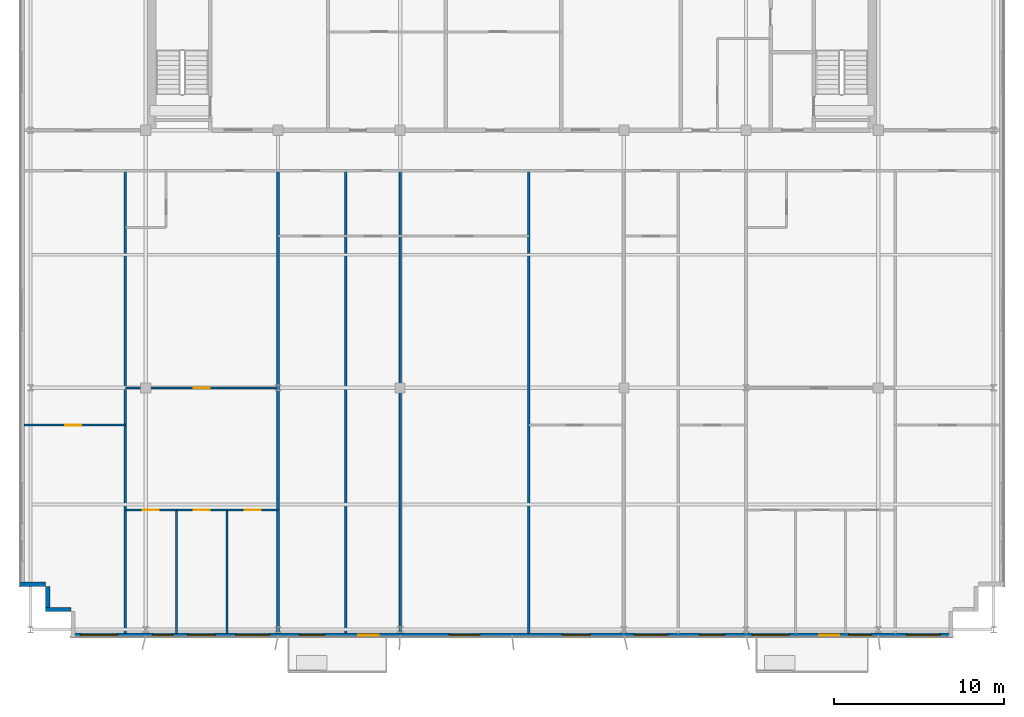
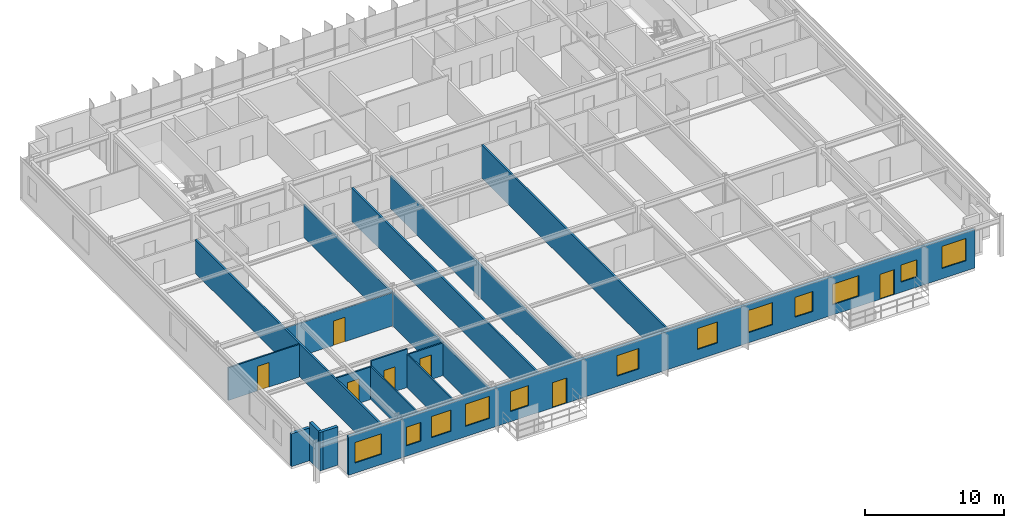
# One storey, part 16 of 22: 16 walls, 12 windows, 7 doors, 19 openings.
"""IFC4 building model written with IfcOpenShell, lengths in metres."""

import ifcopenshell
import ifcopenshell.guid

model = None  # the IFC model being written
_history = None  # IfcOwnerHistory: only IFC2X3 demands one
_inside = {}  # id of a spatial element -> (the spatial element, [elements in it])
_under = {}  # id of a project, library or spatial element -> (it, [spatial elements below it])
_declared = {}  # id of a project -> (the project, [libraries it declares])
_typed = {}  # id of a type object -> (the type object, [elements of that type])
_made_of = {}  # id of a material, layer set ... -> (it, [elements and type objects made of it])


def new_model(schema):
    """Start an empty IFC model of exactly this schema.

    Asked for "IFC4X3", IfcOpenShell would pick the latest addendum, in which some entities
    have other attributes; the version numbers below select the first issue.
    IFC2X3 requires an IfcOwnerHistory on every rooted entity: one is made here for all.
    """
    global model, _history
    if schema == "IFC4X3":
        model = ifcopenshell.file(schema_version=(4, 3, 0, 0))
    else:
        model = ifcopenshell.file(schema=schema)
    _inside.clear()
    _under.clear()
    _declared.clear()
    _typed.clear()
    _made_of.clear()
    _history = None
    if model.schema == "IFC2X3":
        org = make("IfcOrganization", Name="unknown")
        user = make(
            "IfcPersonAndOrganization",
            ThePerson=make("IfcPerson", FamilyName="unknown"),
            TheOrganization=org,
        )
        app = make(
            "IfcApplication",
            ApplicationDeveloper=org,
            Version="unknown",
            ApplicationFullName="unknown",
            ApplicationIdentifier="unknown",
        )
        _history = make(
            "IfcOwnerHistory",
            OwningUser=user,
            OwningApplication=app,
            ChangeAction="ADDED",
            CreationDate=0,
        )
    return model


def make(cls, **values):
    """One entity of the class cls with the attributes given. An attribute that is None is left unset."""
    return model.create_entity(
        cls, **{name: value for name, value in values.items() if value is not None}
    )


def rooted(cls, **values):
    """An entity with a GlobalId (a new one), such as an element, a storey or a relation."""
    return make(cls, GlobalId=ifcopenshell.guid.new(), OwnerHistory=_history, **values)


def si_unit(unit_type, name, prefix=None):
    """IfcSIUnit, for example si_unit("LENGTHUNIT", "METRE", prefix="MILLI")."""
    return make("IfcSIUnit", UnitType=unit_type, Prefix=prefix, Name=name)


def assignment(units):
    """IfcUnitAssignment: the units of a project."""
    return None if units is None else make("IfcUnitAssignment", Units=units)


def point(xyz):
    """IfcCartesianPoint."""
    return None if xyz is None else make("IfcCartesianPoint", Coordinates=xyz)


def direction(xyz):
    """IfcDirection."""
    return None if xyz is None else make("IfcDirection", DirectionRatios=xyz)


def frame(location, z_axis=None, x_axis=None):
    """IfcAxis2Placement3D, a coordinate frame: its origin and axes. An axis left out is left unset."""
    return make(
        "IfcAxis2Placement3D",
        Location=point(location),
        Axis=direction(z_axis),
        RefDirection=direction(x_axis),
    )


def frame_2d(location, x_axis=None):
    """IfcAxis2Placement2D, a coordinate frame in the plane: its origin and x axis."""
    return make(
        "IfcAxis2Placement2D", Location=point(location), RefDirection=direction(x_axis)
    )


def origin():
    """The frame at (0, 0, 0) with its axes left unset."""
    return frame((0.0, 0.0, 0.0))


def place(relative_to, where):
    """IfcLocalPlacement: puts the frame where relative to a parent placement (None: the world)."""
    return make(
        "IfcLocalPlacement", PlacementRelTo=relative_to, RelativePlacement=where
    )


def context(
    kind, dimensions, precision=None, world=None, true_north=None, identifier=None
):
    """IfcGeometricRepresentationContext, for example the 3D "Model" context."""
    return make(
        "IfcGeometricRepresentationContext",
        ContextIdentifier=identifier,
        ContextType=kind,
        CoordinateSpaceDimension=dimensions,
        Precision=precision,
        WorldCoordinateSystem=world,
        TrueNorth=true_north,
    )


def subcontext(parent, identifier, kind, view, scale=None):
    """IfcGeometricRepresentationSubContext, for example "Body" below "Model"."""
    return make(
        "IfcGeometricRepresentationSubContext",
        ContextIdentifier=identifier,
        ContextType=kind,
        ParentContext=parent,
        TargetScale=scale,
        TargetView=view,
    )


def project(units=None, contexts=None):
    """IfcProject with its units and contexts."""
    return rooted(
        "IfcProject",
        Name="project",
        RepresentationContexts=contexts,
        UnitsInContext=assignment(units),
    )


def spatial(cls, under=None, at=None, **own):
    """A site, building, storey or space (cls), placed at a placement, below another one or the project."""
    s = rooted(cls, ObjectPlacement=at, **own)
    if under is not None:
        _under.setdefault(under.id(), (under, []))[1].append(s)
    return s


def profile(cls, at=None, kind="AREA", **sizes):
    """A parametric profile (cls). Its sizes go by their IFC names, for example OverallWidth=200.0."""
    return make(cls, ProfileType=kind, Position=at, **sizes)


def rectangle(**sizes):
    """IfcRectangleProfileDef."""
    return profile("IfcRectangleProfileDef", **sizes)


def extrude(swept, where, along, depth):
    """IfcExtrudedAreaSolid: the profile swept, set in the frame where, extruded along a direction by depth."""
    return make(
        "IfcExtrudedAreaSolid",
        SweptArea=swept,
        Position=where,
        ExtrudedDirection=direction(along),
        Depth=depth,
    )


def shape(context_of_items, identifier, shape_type, items):
    """IfcShapeRepresentation: the items that make up one representation, for example the "Body"."""
    return make(
        "IfcShapeRepresentation",
        ContextOfItems=context_of_items,
        RepresentationIdentifier=identifier,
        RepresentationType=shape_type,
        Items=items,
    )


def source(mapping_origin, context_of_items, identifier, shape_type, items):
    """IfcRepresentationMap: a shape defined once, which mapped items show again and again."""
    return make(
        "IfcRepresentationMap",
        MappingOrigin=mapping_origin,
        MappedRepresentation=shape(context_of_items, identifier, shape_type, items),
    )


def transform(
    local_origin,
    x_axis=None,
    y_axis=None,
    z_axis=None,
    scale=None,
    scale2=None,
    scale3=None,
    uniform=True,
):
    """IfcCartesianTransformationOperator3D, or its non-uniform kind. x_axis, y_axis, z_axis: its Axis1, 2, 3."""
    if uniform:
        return make(
            "IfcCartesianTransformationOperator3D",
            Axis1=direction(x_axis),
            Axis2=direction(y_axis),
            LocalOrigin=point(local_origin),
            Scale=scale,
            Axis3=direction(z_axis),
        )
    return make(
        "IfcCartesianTransformationOperator3DnonUniform",
        Axis1=direction(x_axis),
        Axis2=direction(y_axis),
        LocalOrigin=point(local_origin),
        Scale=scale,
        Axis3=direction(z_axis),
        Scale2=scale2,
        Scale3=scale3,
    )


def mapped(mapping_source, mapping_target):
    """IfcMappedItem: shows the shape of a source again, moved by a transform."""
    return make(
        "IfcMappedItem", MappingSource=mapping_source, MappingTarget=mapping_target
    )


def material(Name=None, Category=None):
    """IfcMaterial."""
    return make("IfcMaterial", Name=Name, Category=Category)


def layer(
    of_material, thickness, ventilated=None, Name=None, Category=None, Priority=None
):
    """IfcMaterialLayer: one layer of a wall or slab, of a material (None: an air gap)."""
    return make(
        "IfcMaterialLayer",
        Material=of_material,
        LayerThickness=thickness,
        IsVentilated=ventilated,
        Name=Name,
        Category=Category,
        Priority=Priority,
    )


def layer_set(layers, Name=None):
    """IfcMaterialLayerSet."""
    return make("IfcMaterialLayerSet", MaterialLayers=layers, LayerSetName=Name)


def made_of(thing, what):
    """Note that an element or type object is made of a material, layer set ...; save() writes the relation."""
    if what is not None:
        _made_of.setdefault(what.id(), (what, []))[1].append(thing)
    return thing


def type_object(cls, material=None, **own):
    """A type object (cls), such as IfcWallType, which elements share."""
    return made_of(rooted(cls, **own), material)


def element(
    cls,
    number,
    at=None,
    inside=None,
    cuts=None,
    type_object=None,
    material=None,
    context=None,
    identifier="Body",
    shape_type=None,
    held_by="IfcProductDefinitionShape",
    body=None,
    shapes=None,
    **own,
):
    """One element of the class cls, such as IfcWall. Its Tag is "e" and its number.

    at: its placement. inside: the storey or other place that contains it. cuts: it is an
    opening in that element (IfcRelVoidsElement). A single representation is given by context,
    identifier, shape_type and body (its items); several are given by shapes. held_by: the class
    of the entity that holds the representations. save() writes the other relations.
    """
    e = rooted(cls, Tag="e%d" % number, ObjectPlacement=at, **own)
    if body is not None:
        shapes = [shape(context, identifier, shape_type, body)]
    if shapes is not None:
        e.Representation = make(held_by, Representations=shapes)
    if inside is not None:
        _inside.setdefault(inside.id(), (inside, []))[1].append(e)
    if cuts is not None:
        rooted(
            "IfcRelVoidsElement", RelatingBuildingElement=cuts, RelatedOpeningElement=e
        )
    if type_object is not None:
        _typed.setdefault(type_object.id(), (type_object, []))[1].append(e)
    return made_of(e, material)


def fill(opening, filler):
    """IfcRelFillsElement: the door or window that sits in an opening."""
    return rooted(
        "IfcRelFillsElement",
        RelatingOpeningElement=opening,
        RelatedBuildingElement=filler,
    )


def aggregate(whole, parts):
    """IfcRelAggregates: a whole, such as a stair, and the parts it consists of."""
    return rooted("IfcRelAggregates", RelatingObject=whole, RelatedObjects=parts)


def save(model, path):
    """Write the relations noted so far, then the file.

    IfcRelAggregates (storeys below a building ...), IfcRelContainedInSpatialStructure (elements
    in a storey), IfcRelDefinesByType, IfcRelAssociatesMaterial and IfcRelDeclares: one each for
    every whole, place, type object, material and project.
    """
    for whole, parts in _under.values():
        aggregate(whole, parts)
    for where, things in _inside.values():
        rooted(
            "IfcRelContainedInSpatialStructure",
            RelatedElements=things,
            RelatingStructure=where,
        )
    for kind, things in _typed.values():
        rooted("IfcRelDefinesByType", RelatedObjects=things, RelatingType=kind)
    for what, things in _made_of.values():
        rooted("IfcRelAssociatesMaterial", RelatedObjects=things, RelatingMaterial=what)
    for by, libraries in _declared.values():
        rooted("IfcRelDeclares", RelatingContext=by, RelatedDefinitions=libraries)
    model.write(path)


model = new_model("IFC4")

# Units and contexts
model_context = context("Model", 3, precision=1e-05, world=origin(), true_north=direction((0.0, 1.0)))
body_context = subcontext(model_context, "Body", "Model", "MODEL_VIEW")
ifc_project = project(units=[si_unit("LENGTHUNIT", "METRE"), si_unit("AREAUNIT", "SQUARE_METRE"), si_unit("VOLUMEUNIT", "CUBIC_METRE"), si_unit("PLANEANGLEUNIT", "RADIAN"), si_unit("MASSUNIT", "GRAM", prefix="KILO")], contexts=[model_context])

# Site, building, storey
site_placement = place(None, origin())
site = spatial("IfcSite", under=ifc_project, at=site_placement, CompositionType="ELEMENT")
building_placement = place(site_placement, origin())
building = spatial("IfcBuilding", under=site, at=building_placement, Name="Trelvane Seafront Commons", CompositionType="ELEMENT")
storey_placement = place(building_placement, frame((0.0, 0.0, 281.10009765625)))
storey = spatial("IfcBuildingStorey", under=building, at=storey_placement, Name="L73", CompositionType="ELEMENT", Elevation=281.10009765625)

# Walls
ifc_material_1 = material(Name="Precast concrete C40/50", Category="concrete")
ifc_layer_1 = layer(ifc_material_1, 0.239990234375, Name="ARCH-WALL-EXT240")
ifc_layer_set_1 = layer_set([ifc_layer_1], Name="Precast concrete C40/50")
wall_type_1 = type_object("IfcWallType", Name="ARCH-WALL-EXT240", PredefinedType="SOLIDWALL", material=ifc_layer_set_1)
for number, where, z_axis, x_axis, name in (
    (1, (11.199951171875, 5.1201171875, 0.0), (0.0, 0.0, 1.0), (-1.0, 0.0, 0.0), "EW-L73-01468"),
    (2, (9.820068359375, 5.0, 0.0), (0.0, 0.0, 1.0), (0.0, 1.0, 0.0), "EW-L73-01469"),
):
    element("IfcWall", number, at=place(storey_placement, frame(where, z_axis=z_axis, x_axis=x_axis)), inside=storey, type_object=wall_type_1, Name=name, PredefinedType="SOLIDWALL", context=body_context, shape_type="SweptSolid", body=[
        extrude(rectangle(XDim=1.5, YDim=0.239990234375, at=frame_2d((0.75, 0.0))), origin(), (0.0, 0.0, 1.0), 3.369873046875),
    ])
wall_1_placement = place(storey_placement, frame((9.699951171875, 6.6201171875, 0.0), z_axis=(0.0, 0.0, 1.0), x_axis=(-1.0, 0.0, 0.0)))
element("IfcWall", 3, at=wall_1_placement, inside=storey, type_object=wall_type_1, Name="EW-L73-01470", PredefinedType="SOLIDWALL", context=body_context, shape_type="SweptSolid", body=[
    extrude(rectangle(XDim=1.5, YDim=0.239990234375, at=frame_2d((0.75, 0.0))), origin(), (0.0, 0.0, 1.0), 2.869873046875),
])

# Wall, openings, windows, doors
wall_2_placement = place(storey_placement, frame((63.199951171875, 3.6201171875, 0.0), z_axis=(0.0, 0.0, 1.0), x_axis=(-1.0, 0.0, 0.0)))
wall_2 = element("IfcWall", 4, at=wall_2_placement, inside=storey, type_object=wall_type_1, Name="EW-L73-01485", PredefinedType="SOLIDWALL", context=body_context, shape_type="SweptSolid", body=[
    extrude(rectangle(XDim=52.0, YDim=0.239990234375, at=frame_2d((26.0, 0.0))), origin(), (0.0, 0.0, 1.0), 3.369873046875),
])
opening_1_placement = place(wall_2_placement, frame((0.7451171875, 0.0, 0.89990234375)))
opening_1 = element("IfcOpeningElement", 5, at=opening_1_placement, cuts=wall_2, Name="Opening W06", PredefinedType="OPENING", context=body_context, shape_type="SweptSolid", body=[
    extrude(rectangle(XDim=2.0, YDim=1.949951171875, at=frame_2d((1.0, 0.97509765625))), frame((0.0, 0.1298828125, 0.0), z_axis=(0.0, -1.0, 0.0), x_axis=(1.0, 0.0, 0.0)), (0.0, 0.0, 1.0), 0.260009765625),
])
opening_2_placement = place(wall_2_placement, frame((4.79296875, 0.0, 0.89990234375)))
opening_2 = element("IfcOpeningElement", 6, at=opening_2_placement, cuts=wall_2, Name="Opening W09", PredefinedType="OPENING", context=body_context, shape_type="SweptSolid", body=[
    extrude(rectangle(XDim=1.35009765625, YDim=1.5, at=frame_2d((0.675048828125, 0.75))), frame((0.0, 0.1298828125, 0.0), z_axis=(0.0, -1.0, 0.0), x_axis=(1.0, 0.0, 0.0)), (0.0, 0.0, 1.0), 0.260009765625),
])
opening_3_placement = place(wall_2_placement, frame((6.68505859375, 0.0, 0.0)))
opening_3 = element("IfcOpeningElement", 7, at=opening_3_placement, cuts=wall_2, Name="Opening BD-L73-148", PredefinedType="OPENING", context=body_context, shape_type="SweptSolid", body=[
    extrude(rectangle(XDim=1.199951171875, YDim=2.199951171875, at=frame_2d((0.60009765625, 1.10009765625))), frame((0.0, 0.1298828125, 0.0), z_axis=(0.0, -1.0, 0.0), x_axis=(1.0, 0.0, 0.0)), (0.0, 0.0, 1.0), 0.260009765625),
])
opening_4_placement = place(wall_2_placement, frame((9.634033203125, 0.0, 0.89990234375)))
opening_4 = element("IfcOpeningElement", 8, at=opening_4_placement, cuts=wall_2, Name="Opening W02", PredefinedType="OPENING", context=body_context, shape_type="SweptSolid", body=[
    extrude(rectangle(XDim=2.199951171875, YDim=1.800048828125, at=frame_2d((1.10009765625, 0.89990234375))), frame((0.0, 0.1298828125, 0.0), z_axis=(0.0, -1.0, 0.0), x_axis=(1.0, 0.0, 0.0)), (0.0, 0.0, 1.0), 0.260009765625),
])
opening_5_placement = place(wall_2_placement, frame((13.449951171875, 0.0, 0.89990234375)))
opening_5 = element("IfcOpeningElement", 9, at=opening_5_placement, cuts=wall_2, Name="Opening W03", PredefinedType="OPENING", context=body_context, shape_type="SweptSolid", body=[
    extrude(rectangle(XDim=1.5, YDim=1.75, at=frame_2d((0.75, 0.875))), frame((0.0, 0.1298828125, 0.0), z_axis=(0.0, -1.0, 0.0), x_axis=(1.0, 0.0, 0.0)), (0.0, 0.0, 1.0), 0.260009765625),
])
opening_6_placement = place(wall_2_placement, frame((16.800048828125, 0.0, 0.89990234375)))
opening_6 = element("IfcOpeningElement", 10, at=opening_6_placement, cuts=wall_2, Name="Opening W06", PredefinedType="OPENING", context=body_context, shape_type="SweptSolid", body=[
    extrude(rectangle(XDim=2.0, YDim=1.949951171875, at=frame_2d((1.0, 0.97509765625))), frame((0.0, 0.1298828125, 0.0), z_axis=(0.0, -1.0, 0.0), x_axis=(1.0, 0.0, 0.0)), (0.0, 0.0, 1.0), 0.260009765625),
])
opening_7_placement = place(wall_2_placement, frame((21.375, 0.0, 0.89990234375)))
opening_7 = element("IfcOpeningElement", 11, at=opening_7_placement, cuts=wall_2, Name="Opening W07", PredefinedType="OPENING", context=body_context, shape_type="SweptSolid", body=[
    extrude(rectangle(XDim=1.64990234375, YDim=1.85009765625, at=frame_2d((0.824951171875, 0.925048828125))), frame((0.0, 0.1298828125, 0.0), z_axis=(0.0, -1.0, 0.0), x_axis=(1.0, 0.0, 0.0)), (0.0, 0.0, 1.0), 0.260009765625),
])
opening_8_placement = place(wall_2_placement, frame((27.89990234375, 0.0, 0.89990234375)))
opening_8 = element("IfcOpeningElement", 12, at=opening_8_placement, cuts=wall_2, Name="Opening W01", PredefinedType="OPENING", context=body_context, shape_type="SweptSolid", body=[
    extrude(rectangle(XDim=1.800048828125, YDim=1.800048828125, at=frame_2d((0.89990234375, 0.89990234375))), frame((0.0, 0.1298828125, 0.0), z_axis=(0.0, -1.0, 0.0), x_axis=(1.0, 0.0, 0.0)), (0.0, 0.0, 1.0), 0.260009765625),
])
opening_9_placement = place(wall_2_placement, frame((33.873046875, 0.0, 0.0)))
opening_9 = element("IfcOpeningElement", 13, at=opening_9_placement, cuts=wall_2, Name="Opening BD-L73-149", PredefinedType="OPENING", context=body_context, shape_type="SweptSolid", body=[
    extrude(rectangle(XDim=1.199951171875, YDim=2.199951171875, at=frame_2d((0.60009765625, 1.10009765625))), frame((0.0, 0.1298828125, 0.0), z_axis=(0.0, -1.0, 0.0), x_axis=(1.0, 0.0, 0.0)), (0.0, 0.0, 1.0), 0.260009765625),
])
opening_10_placement = place(wall_2_placement, frame((37.050048828125, 0.0, 0.89990234375)))
opening_10 = element("IfcOpeningElement", 14, at=opening_10_placement, cuts=wall_2, Name="Opening W03", PredefinedType="OPENING", context=body_context, shape_type="SweptSolid", body=[
    extrude(rectangle(XDim=1.5, YDim=1.75, at=frame_2d((0.75, 0.875))), frame((0.0, 0.1298828125, 0.0), z_axis=(0.0, -1.0, 0.0), x_axis=(1.0, 0.0, 0.0)), (0.0, 0.0, 1.0), 0.260009765625),
])
opening_11_placement = place(wall_2_placement, frame((40.300048828125, 0.0, 0.89990234375)))
opening_11 = element("IfcOpeningElement", 15, at=opening_11_placement, cuts=wall_2, Name="Opening W06", PredefinedType="OPENING", context=body_context, shape_type="SweptSolid", body=[
    extrude(rectangle(XDim=2.0, YDim=1.949951171875, at=frame_2d((1.0, 0.97509765625))), frame((0.0, 0.1298828125, 0.0), z_axis=(0.0, -1.0, 0.0), x_axis=(1.0, 0.0, 0.0)), (0.0, 0.0, 1.0), 0.260009765625),
])
opening_12_placement = place(wall_2_placement, frame((43.47509765625, 0.0, 0.89990234375)))
opening_12 = element("IfcOpeningElement", 16, at=opening_12_placement, cuts=wall_2, Name="Opening W07", PredefinedType="OPENING", context=body_context, shape_type="SweptSolid", body=[
    extrude(rectangle(XDim=1.64990234375, YDim=1.85009765625, at=frame_2d((0.824951171875, 0.925048828125))), frame((0.0, 0.1298828125, 0.0), z_axis=(0.0, -1.0, 0.0), x_axis=(1.0, 0.0, 0.0)), (0.0, 0.0, 1.0), 0.260009765625),
])
opening_13_placement = place(wall_2_placement, frame((45.989990234375, 0.0, 0.89990234375)))
opening_13 = element("IfcOpeningElement", 17, at=opening_13_placement, cuts=wall_2, Name="Opening W05", PredefinedType="OPENING", context=body_context, shape_type="SweptSolid", body=[
    extrude(rectangle(XDim=1.199951171875, YDim=1.64990234375, at=frame_2d((0.60009765625, 0.824951171875))), frame((0.0, 0.1298828125, 0.0), z_axis=(0.0, -1.0, 0.0), x_axis=(1.0, 0.0, 0.0)), (0.0, 0.0, 1.0), 0.260009765625),
])
opening_14_placement = place(wall_2_placement, frame((49.2548828125, 0.0, 0.89990234375)))
opening_14 = element("IfcOpeningElement", 18, at=opening_14_placement, cuts=wall_2, Name="Opening W02", PredefinedType="OPENING", context=body_context, shape_type="SweptSolid", body=[
    extrude(rectangle(XDim=2.199951171875, YDim=1.800048828125, at=frame_2d((1.10009765625, 0.89990234375))), frame((0.0, 0.1298828125, 0.0), z_axis=(0.0, -1.0, 0.0), x_axis=(1.0, 0.0, 0.0)), (0.0, 0.0, 1.0), 0.260009765625),
])
ifc_material_2 = material(Name="Low-E coastal double glazing", Category="glass")
window_type_1 = type_object("IfcWindowType", Name="ARCH-WIN-W09", PartitioningType="SINGLE_PANEL", PredefinedType="WINDOW", material=ifc_material_2)
shared_shape_1 = source(origin(), body_context, "Body", "SweptSolid", [
    extrude(rectangle(XDim=1.35009765625, YDim=1.5, at=frame_2d((0.675048828125, 0.75))), frame((0.0, 0.030029296875, 0.0), z_axis=(0.0, -1.0, 0.0), x_axis=(1.0, 0.0, 0.0)), (0.0, 0.0, 1.0), 0.06005859375),
])
window_1_placement = place(opening_2_placement, origin())
window_1 = element("IfcWindow", 19, at=window_1_placement, inside=storey, type_object=window_type_1, Name="WIN-L73-01760", OverallHeight=1.5, OverallWidth=1.35009765625, PartitioningType="SINGLE_PANEL", PredefinedType="WINDOW", context=body_context, shape_type="MappedRepresentation", body=[
    mapped(shared_shape_1, transform((0.0, 0.0, 0.0), x_axis=(1.0, 0.0, 0.0), y_axis=(0.0, 1.0, 0.0), z_axis=(0.0, 0.0, 1.0), scale=1.0)),
])
fill(opening_2, window_1)
window_type_2 = type_object("IfcWindowType", Name="ARCH-WIN-W05", PartitioningType="SINGLE_PANEL", PredefinedType="WINDOW", material=ifc_material_2)
shared_shape_2 = source(origin(), body_context, "Body", "SweptSolid", [
    extrude(rectangle(XDim=1.199951171875, YDim=1.64990234375, at=frame_2d((0.60009765625, 0.824951171875))), frame((0.0, 0.030029296875, 0.0), z_axis=(0.0, -1.0, 0.0), x_axis=(1.0, 0.0, 0.0)), (0.0, 0.0, 1.0), 0.06005859375),
])
window_2_placement = place(opening_13_placement, origin())
window_2 = element("IfcWindow", 20, at=window_2_placement, inside=storey, type_object=window_type_2, Name="WIN-L73-01769", OverallHeight=1.64990234375, OverallWidth=1.199951171875, PartitioningType="SINGLE_PANEL", PredefinedType="WINDOW", context=body_context, shape_type="MappedRepresentation", body=[
    mapped(shared_shape_2, transform((0.0, 0.0, 0.0), x_axis=(1.0, 0.0, 0.0), y_axis=(0.0, 1.0, 0.0), z_axis=(0.0, 0.0, 1.0), scale=1.0)),
])
fill(opening_13, window_2)
ifc_material_3 = material(Name="Powder-coated aluminium frame", Category="aluminium")
door_type_1 = type_object("IfcDoorType", Name="ARCH-DR-BAL1200", OperationType="NOTDEFINED", PredefinedType="DOOR", material=ifc_material_3)
shared_shape_3 = source(origin(), body_context, "Body", "SweptSolid", [
    extrude(rectangle(XDim=1.199951171875, YDim=2.199951171875, at=frame_2d((0.60009765625, 1.10009765625))), frame((0.0, 0.02490234375, 0.0), z_axis=(0.0, -1.0, 0.0), x_axis=(1.0, 0.0, 0.0)), (0.0, 0.0, 1.0), 0.050048828125),
])
door_1_placement = place(opening_3_placement, origin())
door_1 = element("IfcDoor", 21, at=door_1_placement, inside=storey, type_object=door_type_1, Name="L73 Balcony Terrace Access Door", OperationType="SINGLE_SWING_LEFT", OverallHeight=2.199951171875, OverallWidth=1.199951171875, PredefinedType="DOOR", context=body_context, shape_type="MappedRepresentation", body=[
    mapped(shared_shape_3, transform((0.0, 0.0, 0.0), x_axis=(1.0, 0.0, 0.0), y_axis=(0.0, 1.0, 0.0), z_axis=(0.0, 0.0, 1.0), scale=1.0)),
])
fill(opening_3, door_1)
door_2_placement = place(opening_9_placement, origin())
door_2 = element("IfcDoor", 22, at=door_2_placement, inside=storey, type_object=door_type_1, Name="L73 Balcony Terrace Access Door", OperationType="SINGLE_SWING_LEFT", OverallHeight=2.199951171875, OverallWidth=1.199951171875, PredefinedType="DOOR", context=body_context, shape_type="MappedRepresentation", body=[
    mapped(shared_shape_3, transform((0.0, 0.0, 0.0), x_axis=(1.0, 0.0, 0.0), y_axis=(0.0, 1.0, 0.0), z_axis=(0.0, 0.0, 1.0), scale=1.0)),
])
fill(opening_9, door_2)
window_type_3 = type_object("IfcWindowType", Name="ARCH-WIN-W02", PartitioningType="SINGLE_PANEL", PredefinedType="WINDOW", material=ifc_material_2)
shared_shape_4 = source(origin(), body_context, "Body", "SweptSolid", [
    extrude(rectangle(XDim=2.199951171875, YDim=1.800048828125, at=frame_2d((1.10009765625, 0.89990234375))), frame((0.0, 0.030029296875, 0.0), z_axis=(0.0, -1.0, 0.0), x_axis=(1.0, 0.0, 0.0)), (0.0, 0.0, 1.0), 0.06005859375),
])
window_3_placement = place(opening_4_placement, origin())
window_3 = element("IfcWindow", 23, at=window_3_placement, inside=storey, type_object=window_type_3, Name="WIN-L73-01761", OverallHeight=1.800048828125, OverallWidth=2.199951171875, PartitioningType="SINGLE_PANEL", PredefinedType="WINDOW", context=body_context, shape_type="MappedRepresentation", body=[
    mapped(shared_shape_4, transform((0.0, 0.0, 0.0), x_axis=(1.0, 0.0, 0.0), y_axis=(0.0, 1.0, 0.0), z_axis=(0.0, 0.0, 1.0), scale=1.0)),
])
fill(opening_4, window_3)
window_4_placement = place(opening_14_placement, origin())
window_4 = element("IfcWindow", 24, at=window_4_placement, inside=storey, type_object=window_type_3, Name="WIN-L73-01770", OverallHeight=1.800048828125, OverallWidth=2.199951171875, PartitioningType="SINGLE_PANEL", PredefinedType="WINDOW", context=body_context, shape_type="MappedRepresentation", body=[
    mapped(shared_shape_4, transform((0.0, 0.0, 0.0), x_axis=(1.0, 0.0, 0.0), y_axis=(0.0, 1.0, 0.0), z_axis=(0.0, 0.0, 1.0), scale=1.0)),
])
fill(opening_14, window_4)
window_type_4 = type_object("IfcWindowType", Name="ARCH-WIN-W03", PartitioningType="SINGLE_PANEL", PredefinedType="WINDOW", material=ifc_material_2)
shared_shape_5 = source(origin(), body_context, "Body", "SweptSolid", [
    extrude(rectangle(XDim=1.5, YDim=1.75, at=frame_2d((0.75, 0.875))), frame((0.0, 0.030029296875, 0.0), z_axis=(0.0, -1.0, 0.0), x_axis=(1.0, 0.0, 0.0)), (0.0, 0.0, 1.0), 0.06005859375),
])
window_5_placement = place(opening_5_placement, origin())
window_5 = element("IfcWindow", 25, at=window_5_placement, inside=storey, type_object=window_type_4, Name="WIN-L73-01762", OverallHeight=1.75, OverallWidth=1.5, PartitioningType="SINGLE_PANEL", PredefinedType="WINDOW", context=body_context, shape_type="MappedRepresentation", body=[
    mapped(shared_shape_5, transform((0.0, 0.0, 0.0), x_axis=(1.0, 0.0, 0.0), y_axis=(0.0, 1.0, 0.0), z_axis=(0.0, 0.0, 1.0), scale=1.0)),
])
fill(opening_5, window_5)
window_6_placement = place(opening_10_placement, origin())
window_6 = element("IfcWindow", 26, at=window_6_placement, inside=storey, type_object=window_type_4, Name="WIN-L73-01766", OverallHeight=1.75, OverallWidth=1.5, PartitioningType="SINGLE_PANEL", PredefinedType="WINDOW", context=body_context, shape_type="MappedRepresentation", body=[
    mapped(shared_shape_5, transform((0.0, 0.0, 0.0), x_axis=(1.0, 0.0, 0.0), y_axis=(0.0, 1.0, 0.0), z_axis=(0.0, 0.0, 1.0), scale=1.0)),
])
fill(opening_10, window_6)
window_type_5 = type_object("IfcWindowType", Name="ARCH-WIN-W06", PartitioningType="SINGLE_PANEL", PredefinedType="WINDOW", material=ifc_material_2)
shared_shape_6 = source(origin(), body_context, "Body", "SweptSolid", [
    extrude(rectangle(XDim=2.0, YDim=1.949951171875, at=frame_2d((1.0, 0.97509765625))), frame((0.0, 0.030029296875, 0.0), z_axis=(0.0, -1.0, 0.0), x_axis=(1.0, 0.0, 0.0)), (0.0, 0.0, 1.0), 0.06005859375),
])
window_7_placement = place(opening_1_placement, origin())
window_7 = element("IfcWindow", 27, at=window_7_placement, inside=storey, type_object=window_type_5, Name="WIN-L73-01759", OverallHeight=1.949951171875, OverallWidth=2.0, PartitioningType="SINGLE_PANEL", PredefinedType="WINDOW", context=body_context, shape_type="MappedRepresentation", body=[
    mapped(shared_shape_6, transform((0.0, 0.0, 0.0), x_axis=(1.0, 0.0, 0.0), y_axis=(0.0, 1.0, 0.0), z_axis=(0.0, 0.0, 1.0), scale=1.0)),
])
fill(opening_1, window_7)
window_8_placement = place(opening_6_placement, origin())
window_8 = element("IfcWindow", 28, at=window_8_placement, inside=storey, type_object=window_type_5, Name="WIN-L73-01763", OverallHeight=1.949951171875, OverallWidth=2.0, PartitioningType="SINGLE_PANEL", PredefinedType="WINDOW", context=body_context, shape_type="MappedRepresentation", body=[
    mapped(shared_shape_6, transform((0.0, 0.0, 0.0), x_axis=(1.0, 0.0, 0.0), y_axis=(0.0, 1.0, 0.0), z_axis=(0.0, 0.0, 1.0), scale=1.0)),
])
fill(opening_6, window_8)
window_9_placement = place(opening_11_placement, origin())
window_9 = element("IfcWindow", 29, at=window_9_placement, inside=storey, type_object=window_type_5, Name="WIN-L73-01767", OverallHeight=1.949951171875, OverallWidth=2.0, PartitioningType="SINGLE_PANEL", PredefinedType="WINDOW", context=body_context, shape_type="MappedRepresentation", body=[
    mapped(shared_shape_6, transform((0.0, 0.0, 0.0), x_axis=(1.0, 0.0, 0.0), y_axis=(0.0, 1.0, 0.0), z_axis=(0.0, 0.0, 1.0), scale=1.0)),
])
fill(opening_11, window_9)
window_type_6 = type_object("IfcWindowType", Name="ARCH-WIN-W01", PartitioningType="SINGLE_PANEL", PredefinedType="WINDOW", material=ifc_material_2)
shared_shape_7 = source(origin(), body_context, "Body", "SweptSolid", [
    extrude(rectangle(XDim=1.800048828125, YDim=1.800048828125, at=frame_2d((0.89990234375, 0.89990234375))), frame((0.0, 0.030029296875, 0.0), z_axis=(0.0, -1.0, 0.0), x_axis=(1.0, 0.0, 0.0)), (0.0, 0.0, 1.0), 0.06005859375),
])
window_10_placement = place(opening_8_placement, origin())
window_10 = element("IfcWindow", 30, at=window_10_placement, inside=storey, type_object=window_type_6, Name="WIN-L73-01765", OverallHeight=1.800048828125, OverallWidth=1.800048828125, PartitioningType="SINGLE_PANEL", PredefinedType="WINDOW", context=body_context, shape_type="MappedRepresentation", body=[
    mapped(shared_shape_7, transform((0.0, 0.0, 0.0), x_axis=(1.0, 0.0, 0.0), y_axis=(0.0, 1.0, 0.0), z_axis=(0.0, 0.0, 1.0), scale=1.0)),
])
fill(opening_8, window_10)
window_type_7 = type_object("IfcWindowType", Name="ARCH-WIN-W07", PartitioningType="SINGLE_PANEL", PredefinedType="WINDOW", material=ifc_material_2)
shared_shape_8 = source(origin(), body_context, "Body", "SweptSolid", [
    extrude(rectangle(XDim=1.64990234375, YDim=1.85009765625, at=frame_2d((0.824951171875, 0.925048828125))), frame((0.0, 0.030029296875, 0.0), z_axis=(0.0, -1.0, 0.0), x_axis=(1.0, 0.0, 0.0)), (0.0, 0.0, 1.0), 0.06005859375),
])
window_11_placement = place(opening_7_placement, origin())
window_11 = element("IfcWindow", 31, at=window_11_placement, inside=storey, type_object=window_type_7, Name="WIN-L73-01764", OverallHeight=1.85009765625, OverallWidth=1.64990234375, PartitioningType="SINGLE_PANEL", PredefinedType="WINDOW", context=body_context, shape_type="MappedRepresentation", body=[
    mapped(shared_shape_8, transform((0.0, 0.0, 0.0), x_axis=(1.0, 0.0, 0.0), y_axis=(0.0, 1.0, 0.0), z_axis=(0.0, 0.0, 1.0), scale=1.0)),
])
fill(opening_7, window_11)
window_12_placement = place(opening_12_placement, origin())
window_12 = element("IfcWindow", 32, at=window_12_placement, inside=storey, type_object=window_type_7, Name="WIN-L73-01768", OverallHeight=1.85009765625, OverallWidth=1.64990234375, PartitioningType="SINGLE_PANEL", PredefinedType="WINDOW", context=body_context, shape_type="MappedRepresentation", body=[
    mapped(shared_shape_8, transform((0.0, 0.0, 0.0), x_axis=(1.0, 0.0, 0.0), y_axis=(0.0, 1.0, 0.0), z_axis=(0.0, 0.0, 1.0), scale=1.0)),
])
fill(opening_12, window_12)

# Wall, opening, door
ifc_material_4 = material(Name="Gypsum Drywall Acoustic Partition")
ifc_layer_2 = layer(ifc_material_4, 0.1201171875, Name="ARCH-WALL-PART120")
ifc_layer_set_2 = layer_set([ifc_layer_2], Name="Gypsum Drywall Acoustic Partition")
wall_type_2 = type_object("IfcWallType", Name="ARCH-WALL-PART120", PredefinedType="PARTITIONING", material=ifc_layer_set_2)
wall_3_placement = place(storey_placement, frame((8.425048828125, 16.0, 0.0), z_axis=(0.0, 0.0, 1.0), x_axis=(1.0, 0.0, 0.0)))
wall_3 = element("IfcWall", 33, at=wall_3_placement, inside=storey, type_object=wall_type_2, Name="W-L73-U1-DIV-052", PredefinedType="PARTITIONING", context=body_context, shape_type="SweptSolid", body=[
    extrude(rectangle(XDim=5.974853515625, YDim=0.1201171875, at=frame_2d((2.9873046875, 0.0))), origin(), (0.0, 0.0, 1.0), 2.869873046875),
])
opening_15_placement = place(wall_3_placement, frame((2.419921875, 0.0, 0.0)))
opening_15 = element("IfcOpeningElement", 34, at=opening_15_placement, cuts=wall_3, Name="Opening D-L73-29", PredefinedType="OPENING", context=body_context, shape_type="SweptSolid", body=[
    extrude(rectangle(XDim=0.949951171875, YDim=2.14990234375, at=frame_2d((0.47509765625, 1.074951171875))), frame((0.0, 0.070068359375, 0.0), z_axis=(0.0, -1.0, 0.0), x_axis=(1.0, 0.0, 0.0)), (0.0, 0.0, 1.0), 0.14013671875),
])
ifc_material_5 = material(Name="Acoustic timber door leaf", Category="wood")
door_type_2 = type_object("IfcDoorType", Name="ARCH-DR-INT950", OperationType="NOTDEFINED", PredefinedType="DOOR", material=ifc_material_5)
shared_shape_9 = source(origin(), body_context, "Body", "SweptSolid", [
    extrude(rectangle(XDim=0.949951171875, YDim=2.14990234375, at=frame_2d((0.47509765625, 1.074951171875))), frame((0.0, 0.02490234375, 0.0), z_axis=(0.0, -1.0, 0.0), x_axis=(1.0, 0.0, 0.0)), (0.0, 0.0, 1.0), 0.050048828125),
])
door_3_placement = place(opening_15_placement, origin())
door_3 = element("IfcDoor", 35, at=door_3_placement, inside=storey, type_object=door_type_2, Name="L73 Door 29", OperationType="SINGLE_SWING_LEFT", OverallHeight=2.14990234375, OverallWidth=0.949951171875, PredefinedType="DOOR", context=body_context, shape_type="MappedRepresentation", body=[
    mapped(shared_shape_9, transform((0.0, 0.0, 0.0), x_axis=(1.0, 0.0, 0.0), y_axis=(0.0, 1.0, 0.0), z_axis=(0.0, 0.0, 1.0), scale=1.0)),
])
fill(opening_15, door_3)

wall_4_placement = place(storey_placement, frame((14.39990234375, 18.199951171875, 0.0), z_axis=(0.0, 0.0, 1.0), x_axis=(1.0, 0.0, 0.0)))
wall_4 = element("IfcWall", 36, at=wall_4_placement, inside=storey, type_object=wall_type_2, Name="W-L73-U2-KL-053", PredefinedType="PARTITIONING", context=body_context, shape_type="SweptSolid", body=[
    extrude(rectangle(XDim=9.0, YDim=0.1201171875, at=frame_2d((4.5, 0.0))), origin(), (0.0, 0.0, 1.0), 2.919921875),
])
opening_16_placement = place(wall_4_placement, frame((4.02490234375, 0.0, 0.0)))
opening_16 = element("IfcOpeningElement", 37, at=opening_16_placement, cuts=wall_4, Name="Opening D-L73-30", PredefinedType="OPENING", context=body_context, shape_type="SweptSolid", body=[
    extrude(rectangle(XDim=0.949951171875, YDim=2.14990234375, at=frame_2d((0.47509765625, 1.074951171875))), frame((0.0, 0.070068359375, 0.0), z_axis=(0.0, -1.0, 0.0), x_axis=(1.0, 0.0, 0.0)), (0.0, 0.0, 1.0), 0.14013671875),
])
door_4_placement = place(opening_16_placement, origin())
door_4 = element("IfcDoor", 38, at=door_4_placement, inside=storey, type_object=door_type_2, Name="L73 Door 30", OperationType="SINGLE_SWING_RIGHT", OverallHeight=2.14990234375, OverallWidth=0.949951171875, PredefinedType="DOOR", context=body_context, shape_type="MappedRepresentation", body=[
    mapped(shared_shape_9, transform((0.0, 0.0, 0.0), x_axis=(1.0, 0.0, 0.0), y_axis=(0.0, 1.0, 0.0), z_axis=(0.0, 0.0, 1.0), scale=1.0)),
])
fill(opening_16, door_4)

wall_5_placement = place(storey_placement, frame((14.39990234375, 11.0, 0.0), z_axis=(0.0, 0.0, 1.0), x_axis=(1.0, 0.0, 0.0)))
wall_5 = element("IfcWall", 39, at=wall_5_placement, inside=storey, type_object=wall_type_2, Name="W-L73-U2-YM-1-057", PredefinedType="PARTITIONING", context=body_context, shape_type="SweptSolid", body=[
    extrude(rectangle(XDim=3.0, YDim=0.1201171875, at=frame_2d((1.5, 0.0))), origin(), (0.0, 0.0, 1.0), 2.869873046875),
])
opening_17_placement = place(wall_5_placement, frame((1.02490234375, 0.0, 0.0)))
opening_17 = element("IfcOpeningElement", 40, at=opening_17_placement, cuts=wall_5, Name="Opening D-L73-33", PredefinedType="OPENING", context=body_context, shape_type="SweptSolid", body=[
    extrude(rectangle(XDim=0.949951171875, YDim=2.14990234375, at=frame_2d((0.47509765625, 1.074951171875))), frame((0.0, 0.070068359375, 0.0), z_axis=(0.0, -1.0, 0.0), x_axis=(1.0, 0.0, 0.0)), (0.0, 0.0, 1.0), 0.14013671875),
])
door_5_placement = place(opening_17_placement, origin())
door_5 = element("IfcDoor", 41, at=door_5_placement, inside=storey, type_object=door_type_2, Name="L73 Door 33", OperationType="SINGLE_SWING_LEFT", OverallHeight=2.14990234375, OverallWidth=0.949951171875, PredefinedType="DOOR", context=body_context, shape_type="MappedRepresentation", body=[
    mapped(shared_shape_9, transform((0.0, 0.0, 0.0), x_axis=(1.0, 0.0, 0.0), y_axis=(0.0, 1.0, 0.0), z_axis=(0.0, 0.0, 1.0), scale=1.0)),
])
fill(opening_17, door_5)

wall_6_placement = place(storey_placement, frame((17.39990234375, 11.0, 0.0), z_axis=(0.0, 0.0, 1.0), x_axis=(1.0, 0.0, 0.0)))
wall_6 = element("IfcWall", 42, at=wall_6_placement, inside=storey, type_object=wall_type_2, Name="W-L73-U2-YM-2-058", PredefinedType="PARTITIONING", context=body_context, shape_type="SweptSolid", body=[
    extrude(rectangle(XDim=3.0, YDim=0.1201171875, at=frame_2d((1.5, 0.0))), origin(), (0.0, 0.0, 1.0), 3.369873046875),
])
opening_18_placement = place(wall_6_placement, frame((1.02490234375, 0.0, 0.0)))
opening_18 = element("IfcOpeningElement", 43, at=opening_18_placement, cuts=wall_6, Name="Opening D-L73-34", PredefinedType="OPENING", context=body_context, shape_type="SweptSolid", body=[
    extrude(rectangle(XDim=0.949951171875, YDim=2.14990234375, at=frame_2d((0.47509765625, 1.074951171875))), frame((0.0, 0.070068359375, 0.0), z_axis=(0.0, -1.0, 0.0), x_axis=(1.0, 0.0, 0.0)), (0.0, 0.0, 1.0), 0.14013671875),
])
door_6_placement = place(opening_18_placement, origin())
door_6 = element("IfcDoor", 44, at=door_6_placement, inside=storey, type_object=door_type_2, Name="L73 Door 34", OperationType="SINGLE_SWING_RIGHT", OverallHeight=2.14990234375, OverallWidth=0.949951171875, PredefinedType="DOOR", context=body_context, shape_type="MappedRepresentation", body=[
    mapped(shared_shape_9, transform((0.0, 0.0, 0.0), x_axis=(1.0, 0.0, 0.0), y_axis=(0.0, 1.0, 0.0), z_axis=(0.0, 0.0, 1.0), scale=1.0)),
])
fill(opening_18, door_6)

# Wall
wall_7_placement = place(storey_placement, frame((17.39990234375, 3.72509765625, 0.0), z_axis=(0.0, 0.0, 1.0), x_axis=(0.0, 1.0, 0.0)))
element("IfcWall", 45, at=wall_7_placement, inside=storey, type_object=wall_type_2, Name="W-L73-U2-BDV-1-059", PredefinedType="PARTITIONING", context=body_context, shape_type="SweptSolid", body=[
    extrude(rectangle(XDim=7.27490234375, YDim=0.1201171875, at=frame_2d((3.637451171875, 0.0))), origin(), (0.0, 0.0, 1.0), 2.919921875),
])

# Wall, opening, door
wall_8_placement = place(storey_placement, frame((20.39990234375, 11.0, 0.0), z_axis=(0.0, 0.0, 1.0), x_axis=(1.0, 0.0, 0.0)))
wall_8 = element("IfcWall", 46, at=wall_8_placement, inside=storey, type_object=wall_type_2, Name="W-L73-U2-YM-3-060", PredefinedType="PARTITIONING", context=body_context, shape_type="SweptSolid", body=[
    extrude(rectangle(XDim=3.0, YDim=0.1201171875, at=frame_2d((1.5, 0.0))), origin(), (0.0, 0.0, 1.0), 2.869873046875),
])
opening_19_placement = place(wall_8_placement, frame((1.02490234375, 0.0, 0.0)))
opening_19 = element("IfcOpeningElement", 47, at=opening_19_placement, cuts=wall_8, Name="Opening D-L73-35", PredefinedType="OPENING", context=body_context, shape_type="SweptSolid", body=[
    extrude(rectangle(XDim=0.949951171875, YDim=2.14990234375, at=frame_2d((0.47509765625, 1.074951171875))), frame((0.0, 0.070068359375, 0.0), z_axis=(0.0, -1.0, 0.0), x_axis=(1.0, 0.0, 0.0)), (0.0, 0.0, 1.0), 0.14013671875),
])
door_7_placement = place(opening_19_placement, origin())
door_7 = element("IfcDoor", 48, at=door_7_placement, inside=storey, type_object=door_type_2, Name="L73 Door 35", OperationType="SINGLE_SWING_LEFT", OverallHeight=2.14990234375, OverallWidth=0.949951171875, PredefinedType="DOOR", context=body_context, shape_type="MappedRepresentation", body=[
    mapped(shared_shape_9, transform((0.0, 0.0, 0.0), x_axis=(1.0, 0.0, 0.0), y_axis=(0.0, 1.0, 0.0), z_axis=(0.0, 0.0, 1.0), scale=1.0)),
])
fill(opening_19, door_7)

# Walls
wall_9_placement = place(storey_placement, frame((20.39990234375, 3.72509765625, 0.0), z_axis=(0.0, 0.0, 1.0), x_axis=(0.0, 1.0, 0.0)))
element("IfcWall", 49, at=wall_9_placement, inside=storey, type_object=wall_type_2, Name="W-L73-U2-BDV-2-061", PredefinedType="PARTITIONING", context=body_context, shape_type="SweptSolid", body=[
    extrude(rectangle(XDim=7.27490234375, YDim=0.1201171875, at=frame_2d((3.637451171875, 0.0))), origin(), (0.0, 0.0, 1.0), 2.919921875),
])
ifc_layer_3 = layer(ifc_material_4, 0.14990234375, Name="ARCH-WALL-PART150")
ifc_layer_set_3 = layer_set([ifc_layer_3], Name="Gypsum Drywall Acoustic Partition")
wall_type_3 = type_object("IfcWallType", Name="ARCH-WALL-PART150", PredefinedType="PARTITIONING", material=ifc_layer_set_3)
wall_10_placement = place(storey_placement, frame((14.39990234375, 3.72509765625, 0.0), z_axis=(0.0, 0.0, 1.0), x_axis=(0.0, 1.0, 0.0)))
element("IfcWall", 50, at=wall_10_placement, inside=storey, type_object=wall_type_3, Name="W-L73-PW-1-042", PredefinedType="PARTITIONING", context=body_context, shape_type="SweptSolid", body=[
    extrude(rectangle(XDim=27.27490234375, YDim=0.14990234375, at=frame_2d((13.637451171875, 0.0))), origin(), (0.0, 0.0, 1.0), 2.919921875),
])
wall_11_placement = place(storey_placement, frame((23.39990234375, 3.72509765625, 0.0), z_axis=(0.0, 0.0, 1.0), x_axis=(0.0, 1.0, 0.0)))
element("IfcWall", 51, at=wall_11_placement, inside=storey, type_object=wall_type_3, Name="W-L73-PW-2-043", PredefinedType="PARTITIONING", context=body_context, shape_type="SweptSolid", body=[
    extrude(rectangle(XDim=27.27490234375, YDim=0.14990234375, at=frame_2d((13.637451171875, 0.0))), origin(), (0.0, 0.0, 1.0), 2.869873046875),
])
wall_12_placement = place(storey_placement, frame((27.39990234375, 3.72509765625, 0.0), z_axis=(0.0, 0.0, 1.0), x_axis=(0.0, 1.0, 0.0)))
element("IfcWall", 52, at=wall_12_placement, inside=storey, type_object=wall_type_3, Name="W-L73-PW-3-044", PredefinedType="PARTITIONING", context=body_context, shape_type="SweptSolid", body=[
    extrude(rectangle(XDim=27.27490234375, YDim=0.14990234375, at=frame_2d((13.637451171875, 0.0))), origin(), (0.0, 0.0, 1.0), 2.919921875),
])
wall_13_placement = place(storey_placement, frame((30.60009765625, 3.72509765625, 0.0), z_axis=(0.0, 0.0, 1.0), x_axis=(0.0, 1.0, 0.0)))
element("IfcWall", 53, at=wall_13_placement, inside=storey, type_object=wall_type_3, Name="W-L73-PW-4-045", PredefinedType="PARTITIONING", context=body_context, shape_type="SweptSolid", body=[
    extrude(rectangle(XDim=27.27490234375, YDim=0.14990234375, at=frame_2d((13.637451171875, 0.0))), origin(), (0.0, 0.0, 1.0), 2.869873046875),
])
wall_14_placement = place(storey_placement, frame((38.199951171875, 3.72509765625, 0.0), z_axis=(0.0, 0.0, 1.0), x_axis=(0.0, 1.0, 0.0)))
element("IfcWall", 54, at=wall_14_placement, inside=storey, type_object=wall_type_3, Name="W-L73-PW-5-046", PredefinedType="PARTITIONING", context=body_context, shape_type="SweptSolid", body=[
    extrude(rectangle(XDim=27.27490234375, YDim=0.14990234375, at=frame_2d((13.637451171875, 0.0))), origin(), (0.0, 0.0, 1.0), 2.919921875),
])

save(model, "model.ifc")
